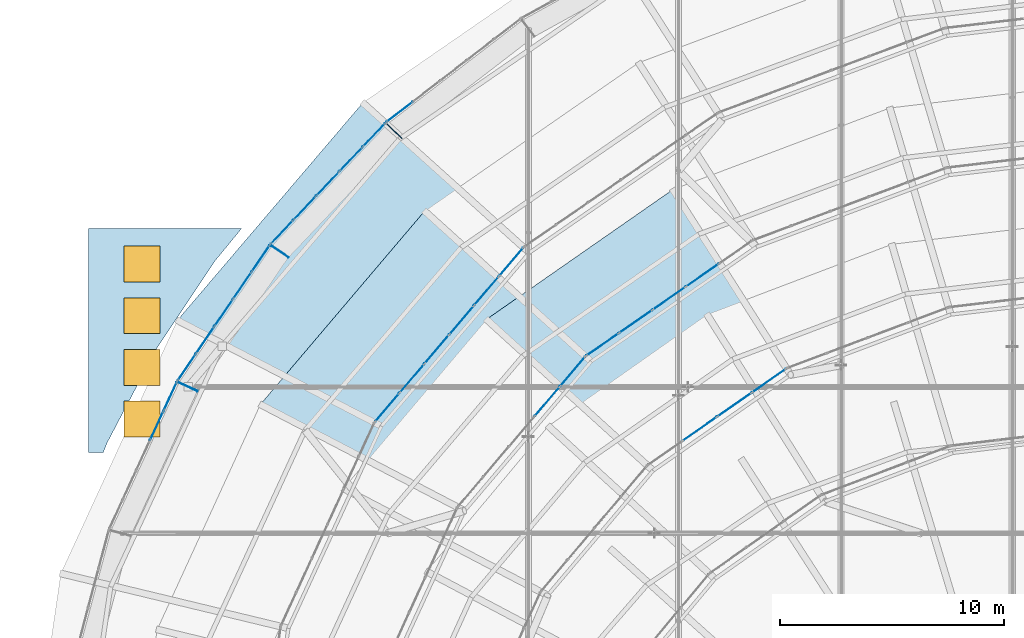
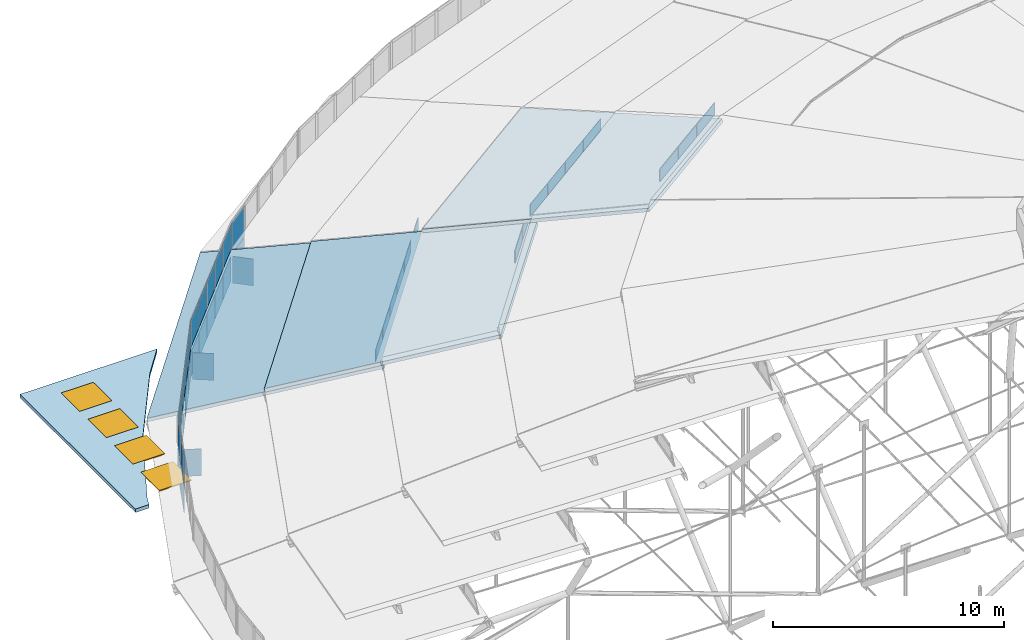
"""IFC4 building model written with IfcOpenShell, lengths in metres."""

import ifcopenshell
import ifcopenshell.guid

model = None  # the IFC model being written
_history = None  # IfcOwnerHistory: only IFC2X3 demands one
_inside = {}  # id of a spatial element -> (the spatial element, [elements in it])
_under = {}  # id of a project, library or spatial element -> (it, [spatial elements below it])
_declared = {}  # id of a project -> (the project, [libraries it declares])
_typed = {}  # id of a type object -> (the type object, [elements of that type])
_made_of = {}  # id of a material, layer set ... -> (it, [elements and type objects made of it])


def new_model(schema):
    """Start an empty IFC model of exactly this schema.

    Asked for "IFC4X3", IfcOpenShell would pick the latest addendum, in which some entities
    have other attributes; the version numbers below select the first issue.
    IFC2X3 requires an IfcOwnerHistory on every rooted entity: one is made here for all.
    """
    global model, _history
    if schema == "IFC4X3":
        model = ifcopenshell.file(schema_version=(4, 3, 0, 0))
    else:
        model = ifcopenshell.file(schema=schema)
    _inside.clear()
    _under.clear()
    _declared.clear()
    _typed.clear()
    _made_of.clear()
    _history = None
    if model.schema == "IFC2X3":
        org = make("IfcOrganization", Name="unknown")
        user = make(
            "IfcPersonAndOrganization",
            ThePerson=make("IfcPerson", FamilyName="unknown"),
            TheOrganization=org,
        )
        app = make(
            "IfcApplication",
            ApplicationDeveloper=org,
            Version="unknown",
            ApplicationFullName="unknown",
            ApplicationIdentifier="unknown",
        )
        _history = make(
            "IfcOwnerHistory",
            OwningUser=user,
            OwningApplication=app,
            ChangeAction="ADDED",
            CreationDate=0,
        )
    return model


def make(cls, **values):
    """One entity of the class cls with the attributes given. An attribute that is None is left unset."""
    return model.create_entity(
        cls, **{name: value for name, value in values.items() if value is not None}
    )


def rooted(cls, **values):
    """An entity with a GlobalId (a new one), such as an element, a storey or a relation."""
    return make(cls, GlobalId=ifcopenshell.guid.new(), OwnerHistory=_history, **values)


def si_unit(unit_type, name, prefix=None):
    """IfcSIUnit, for example si_unit("LENGTHUNIT", "METRE", prefix="MILLI")."""
    return make("IfcSIUnit", UnitType=unit_type, Prefix=prefix, Name=name)


def assignment(units):
    """IfcUnitAssignment: the units of a project."""
    return None if units is None else make("IfcUnitAssignment", Units=units)


def point(xyz):
    """IfcCartesianPoint."""
    return None if xyz is None else make("IfcCartesianPoint", Coordinates=xyz)


def direction(xyz):
    """IfcDirection."""
    return None if xyz is None else make("IfcDirection", DirectionRatios=xyz)


def frame(location, z_axis=None, x_axis=None):
    """IfcAxis2Placement3D, a coordinate frame: its origin and axes. An axis left out is left unset."""
    return make(
        "IfcAxis2Placement3D",
        Location=point(location),
        Axis=direction(z_axis),
        RefDirection=direction(x_axis),
    )


def frame_2d(location, x_axis=None):
    """IfcAxis2Placement2D, a coordinate frame in the plane: its origin and x axis."""
    return make(
        "IfcAxis2Placement2D", Location=point(location), RefDirection=direction(x_axis)
    )


def origin():
    """The frame at (0, 0, 0) with its axes left unset."""
    return frame((0.0, 0.0, 0.0))


def origin_2d():
    """The frame at (0, 0) in the plane with its x axis left unset."""
    return frame_2d((0.0, 0.0))


def place(relative_to, where):
    """IfcLocalPlacement: puts the frame where relative to a parent placement (None: the world)."""
    return make(
        "IfcLocalPlacement", PlacementRelTo=relative_to, RelativePlacement=where
    )


def context(
    kind, dimensions, precision=None, world=None, true_north=None, identifier=None
):
    """IfcGeometricRepresentationContext, for example the 3D "Model" context."""
    return make(
        "IfcGeometricRepresentationContext",
        ContextIdentifier=identifier,
        ContextType=kind,
        CoordinateSpaceDimension=dimensions,
        Precision=precision,
        WorldCoordinateSystem=world,
        TrueNorth=true_north,
    )


def subcontext(parent, identifier, kind, view, scale=None):
    """IfcGeometricRepresentationSubContext, for example "Body" below "Model"."""
    return make(
        "IfcGeometricRepresentationSubContext",
        ContextIdentifier=identifier,
        ContextType=kind,
        ParentContext=parent,
        TargetScale=scale,
        TargetView=view,
    )


def project(units=None, contexts=None):
    """IfcProject with its units and contexts."""
    return rooted(
        "IfcProject",
        Name="project",
        RepresentationContexts=contexts,
        UnitsInContext=assignment(units),
    )


def spatial(cls, under=None, at=None, **own):
    """A site, building, storey or space (cls), placed at a placement, below another one or the project."""
    s = rooted(cls, ObjectPlacement=at, **own)
    if under is not None:
        _under.setdefault(under.id(), (under, []))[1].append(s)
    return s


def polyline(points):
    """IfcPolyline through the points."""
    return make("IfcPolyline", Points=[point(p) for p in points])


def profile(cls, at=None, kind="AREA", **sizes):
    """A parametric profile (cls). Its sizes go by their IFC names, for example OverallWidth=200.0."""
    return make(cls, ProfileType=kind, Position=at, **sizes)


def rectangle(**sizes):
    """IfcRectangleProfileDef."""
    return profile("IfcRectangleProfileDef", **sizes)


def outline(outer, holes=None, kind="AREA"):
    """IfcArbitraryClosedProfileDef: a profile drawn as a closed curve; with holes, ...WithVoids."""
    if holes is None:
        return make("IfcArbitraryClosedProfileDef", ProfileType=kind, OuterCurve=outer)
    return make(
        "IfcArbitraryProfileDefWithVoids",
        ProfileType=kind,
        OuterCurve=outer,
        InnerCurves=holes,
    )


def extrude(swept, where, along, depth):
    """IfcExtrudedAreaSolid: the profile swept, set in the frame where, extruded along a direction by depth."""
    return make(
        "IfcExtrudedAreaSolid",
        SweptArea=swept,
        Position=where,
        ExtrudedDirection=direction(along),
        Depth=depth,
    )


def shape(context_of_items, identifier, shape_type, items):
    """IfcShapeRepresentation: the items that make up one representation, for example the "Body"."""
    return make(
        "IfcShapeRepresentation",
        ContextOfItems=context_of_items,
        RepresentationIdentifier=identifier,
        RepresentationType=shape_type,
        Items=items,
    )


def material(Name=None, Category=None):
    """IfcMaterial."""
    return make("IfcMaterial", Name=Name, Category=Category)


def layer(
    of_material, thickness, ventilated=None, Name=None, Category=None, Priority=None
):
    """IfcMaterialLayer: one layer of a wall or slab, of a material (None: an air gap)."""
    return make(
        "IfcMaterialLayer",
        Material=of_material,
        LayerThickness=thickness,
        IsVentilated=ventilated,
        Name=Name,
        Category=Category,
        Priority=Priority,
    )


def layer_set(layers, Name=None):
    """IfcMaterialLayerSet."""
    return make("IfcMaterialLayerSet", MaterialLayers=layers, LayerSetName=Name)


def made_of(thing, what):
    """Note that an element or type object is made of a material, layer set ...; save() writes the relation."""
    if what is not None:
        _made_of.setdefault(what.id(), (what, []))[1].append(thing)
    return thing


def type_object(cls, material=None, **own):
    """A type object (cls), such as IfcWallType, which elements share."""
    return made_of(rooted(cls, **own), material)


def element(
    cls,
    number,
    at=None,
    inside=None,
    cuts=None,
    type_object=None,
    material=None,
    context=None,
    identifier="Body",
    shape_type=None,
    held_by="IfcProductDefinitionShape",
    body=None,
    shapes=None,
    **own,
):
    """One element of the class cls, such as IfcWall. Its Tag is "e" and its number.

    at: its placement. inside: the storey or other place that contains it. cuts: it is an
    opening in that element (IfcRelVoidsElement). A single representation is given by context,
    identifier, shape_type and body (its items); several are given by shapes. held_by: the class
    of the entity that holds the representations. save() writes the other relations.
    """
    e = rooted(cls, Tag="e%d" % number, ObjectPlacement=at, **own)
    if body is not None:
        shapes = [shape(context, identifier, shape_type, body)]
    if shapes is not None:
        e.Representation = make(held_by, Representations=shapes)
    if inside is not None:
        _inside.setdefault(inside.id(), (inside, []))[1].append(e)
    if cuts is not None:
        rooted(
            "IfcRelVoidsElement", RelatingBuildingElement=cuts, RelatedOpeningElement=e
        )
    if type_object is not None:
        _typed.setdefault(type_object.id(), (type_object, []))[1].append(e)
    return made_of(e, material)


def fill(opening, filler):
    """IfcRelFillsElement: the door or window that sits in an opening."""
    return rooted(
        "IfcRelFillsElement",
        RelatingOpeningElement=opening,
        RelatedBuildingElement=filler,
    )


def aggregate(whole, parts):
    """IfcRelAggregates: a whole, such as a stair, and the parts it consists of."""
    return rooted("IfcRelAggregates", RelatingObject=whole, RelatedObjects=parts)


def save(model, path):
    """Write the relations noted so far, then the file.

    IfcRelAggregates (storeys below a building ...), IfcRelContainedInSpatialStructure (elements
    in a storey), IfcRelDefinesByType, IfcRelAssociatesMaterial and IfcRelDeclares: one each for
    every whole, place, type object, material and project.
    """
    for whole, parts in _under.values():
        aggregate(whole, parts)
    for where, things in _inside.values():
        rooted(
            "IfcRelContainedInSpatialStructure",
            RelatedElements=things,
            RelatingStructure=where,
        )
    for kind, things in _typed.values():
        rooted("IfcRelDefinesByType", RelatedObjects=things, RelatingType=kind)
    for what, things in _made_of.values():
        rooted("IfcRelAssociatesMaterial", RelatedObjects=things, RelatingMaterial=what)
    for by, libraries in _declared.values():
        rooted("IfcRelDeclares", RelatingContext=by, RelatedDefinitions=libraries)
    model.write(path)


model = new_model("IFC4")

# Units and contexts
model_context = context("Model", 3, precision=1e-05, world=origin(), true_north=direction((0.0, 1.0)))
body_context = subcontext(model_context, "Body", "Model", "MODEL_VIEW")
ifc_project = project(units=[si_unit("LENGTHUNIT", "METRE"), si_unit("AREAUNIT", "SQUARE_METRE"), si_unit("VOLUMEUNIT", "CUBIC_METRE"), si_unit("PLANEANGLEUNIT", "RADIAN"), si_unit("MASSUNIT", "GRAM", prefix="KILO")], contexts=[model_context])

# Site, building, storey
site_placement = place(None, origin())
site = spatial("IfcSite", under=ifc_project, at=site_placement, CompositionType="ELEMENT")
building_placement = place(site_placement, origin())
building = spatial("IfcBuilding", under=site, at=building_placement, Name="Glasvene Arena", CompositionType="ELEMENT")
storey_1_placement = place(building_placement, frame((0.0, 0.0, 28.800048828125)))
storey_1 = spatial("IfcBuildingStorey", under=building, at=storey_1_placement, Name="RF", CompositionType="ELEMENT", Elevation=28.800048828125)

# Curtain wall, plates
ifc_material_1 = material(Name="Low-emissivity laminated double glazing", Category="glass")
curtain_wall_type_1 = type_object("IfcCurtainWallType", Name="CW-PET1-1026x75", PredefinedType="USERDEFINED", material=ifc_material_1)
curtain_wall_1_placement = place(storey_1_placement, frame((62.40771484375, 99.657958984375, 0.0)))
curtain_wall_1 = element("IfcCurtainWall", 1, at=curtain_wall_1_placement, inside=storey_1, type_object=curtain_wall_type_1, Name="Petal ring 1-2 clerestory curtain wall 10", ObjectType="CURTAIN WALL", PredefinedType="USERDEFINED")
ifc_layer_1 = layer(ifc_material_1, 0.028076171875)
ifc_layer_set_1 = layer_set([ifc_layer_1], Name="Low-emissivity laminated double glazing")
plate_type_1 = type_object("IfcPlateType", Name="CW-GLZ-28", PredefinedType="CURTAIN_PANEL", material=ifc_layer_set_1)
plate_1_placement = place(storey_1_placement, frame((61.84521484375, 98.997802734375, 2.6298828125), z_axis=(0.0, 0.0, 1.0), x_axis=(-0.648445320272, -0.761261234149, 0.0)))
plate_1 = element("IfcPlate", 2, at=plate_1_placement, type_object=plate_type_1, Name="CW-083 panel 1.1", PredefinedType="CURTAIN_PANEL", context=body_context, shape_type="SweptSolid", body=[
    extrude(rectangle(XDim=1.634521484375, YDim=0.028076171875, at=origin_2d()), origin(), (0.0, 0.0, 1.0), 0.64990234375),
])
plate_2_placement = place(storey_1_placement, frame((60.744873046875, 97.705810546875, 2.6298828125), z_axis=(0.0, 0.0, 1.0), x_axis=(-0.648445320272, -0.761261234149, 0.0)))
plate_2 = element("IfcPlate", 3, at=plate_2_placement, type_object=plate_type_1, Name="CW-083 panel 2.1", PredefinedType="CURTAIN_PANEL", context=body_context, shape_type="SweptSolid", body=[
    extrude(rectangle(XDim=1.659423828125, YDim=0.028076171875, at=origin_2d()), origin(), (0.0, 0.0, 1.0), 0.64990234375),
])
plate_3_placement = place(storey_1_placement, frame((59.636474609375, 96.404541015625, 2.6298828125), z_axis=(0.0, 0.0, 1.0), x_axis=(-0.648445320272, -0.761261234149, 0.0)))
plate_3 = element("IfcPlate", 4, at=plate_3_placement, type_object=plate_type_1, Name="CW-083 panel 3.1", PredefinedType="CURTAIN_PANEL", context=body_context, shape_type="SweptSolid", body=[
    extrude(rectangle(XDim=1.659423828125, YDim=0.028076171875, at=origin_2d()), origin(), (0.0, 0.0, 1.0), 0.64990234375),
])
plate_4_placement = place(storey_1_placement, frame((58.528076171875, 95.103271484375, 2.6298828125), z_axis=(0.0, 0.0, 1.0), x_axis=(-0.648445320272, -0.761261234149, 0.0)))
plate_4 = element("IfcPlate", 5, at=plate_4_placement, type_object=plate_type_1, Name="CW-083 panel 4.1", PredefinedType="CURTAIN_PANEL", context=body_context, shape_type="SweptSolid", body=[
    extrude(rectangle(XDim=1.659423828125, YDim=0.028076171875, at=origin_2d()), origin(), (0.0, 0.0, 1.0), 0.64990234375),
])
plate_5_placement = place(storey_1_placement, frame((57.41943359375, 93.802001953125, 2.6298828125), z_axis=(0.0, 0.0, 1.0), x_axis=(-0.648445320272, -0.761261234149, 0.0)))
plate_5 = element("IfcPlate", 6, at=plate_5_placement, type_object=plate_type_1, Name="CW-083 panel 5.1", PredefinedType="CURTAIN_PANEL", context=body_context, shape_type="SweptSolid", body=[
    extrude(rectangle(XDim=1.659423828125, YDim=0.028076171875, at=origin_2d()), origin(), (0.0, 0.0, 1.0), 0.64990234375),
])
plate_6_placement = place(storey_1_placement, frame((56.319091796875, 92.51025390625, 2.6298828125), z_axis=(0.0, 0.0, 1.0), x_axis=(-0.648445320272, -0.761261234149, 0.0)))
plate_6 = element("IfcPlate", 7, at=plate_6_placement, type_object=plate_type_1, Name="CW-083 panel 6.1", PredefinedType="CURTAIN_PANEL", context=body_context, shape_type="SweptSolid", body=[
    extrude(rectangle(XDim=1.634521484375, YDim=0.028076171875, at=origin_2d()), origin(), (0.0, 0.0, 1.0), 0.64990234375),
])
aggregate(curtain_wall_1, [plate_1, plate_2, plate_3, plate_4, plate_5, plate_6])

curtain_wall_type_2 = type_object("IfcCurtainWallType", Name="CW-PET2-905x75", PredefinedType="USERDEFINED", material=ifc_material_1)
curtain_wall_2_placement = place(storey_1_placement, frame((72.60009765625, 99.952392578125, 0.0)))
curtain_wall_2 = element("IfcCurtainWall", 8, at=curtain_wall_2_placement, inside=storey_1, type_object=curtain_wall_type_2, Name="Petal ring 2-3 clerestory curtain wall 09", ObjectType="CURTAIN WALL", PredefinedType="USERDEFINED")
plate_7_placement = place(storey_1_placement, frame((70.369384765625, 98.405517578125, 5.22998046875), z_axis=(0.0, 0.0, 1.0), x_axis=(-0.821699335018, -0.569921225109, 0.0)))
plate_7 = element("IfcPlate", 9, at=plate_7_placement, type_object=plate_type_1, Name="CW-090 panel 2.1", PredefinedType="CURTAIN_PANEL", context=body_context, shape_type="SweptSolid", body=[
    extrude(rectangle(XDim=1.759765625, YDim=0.028076171875, at=origin_2d()), origin(), (0.0, 0.0, 1.0), 0.64990234375),
])
plate_8_placement = place(storey_1_placement, frame((68.882568359375, 97.3740234375, 5.22998046875), z_axis=(0.0, 0.0, 1.0), x_axis=(-0.821699335018, -0.569921225109, 0.0)))
plate_8 = element("IfcPlate", 10, at=plate_8_placement, type_object=plate_type_1, Name="CW-090 panel 3.1", PredefinedType="CURTAIN_PANEL", context=body_context, shape_type="SweptSolid", body=[
    extrude(rectangle(XDim=1.759765625, YDim=0.028076171875, at=origin_2d()), origin(), (0.0, 0.0, 1.0), 0.64990234375),
])
plate_9_placement = place(storey_1_placement, frame((67.3955078125, 96.3427734375, 5.22998046875), z_axis=(0.0, 0.0, 1.0), x_axis=(-0.821699335018, -0.569921225109, 0.0)))
plate_9 = element("IfcPlate", 11, at=plate_9_placement, type_object=plate_type_1, Name="CW-090 panel 4.1", PredefinedType="CURTAIN_PANEL", context=body_context, shape_type="SweptSolid", body=[
    extrude(rectangle(XDim=1.759765625, YDim=0.028076171875, at=origin_2d()), origin(), (0.0, 0.0, 1.0), 0.64990234375),
])
plate_10_placement = place(storey_1_placement, frame((65.918701171875, 95.318359375, 5.22998046875), z_axis=(0.0, 0.0, 1.0), x_axis=(-0.821699335018, -0.569921225109, 0.0)))
plate_10 = element("IfcPlate", 12, at=plate_10_placement, type_object=plate_type_1, Name="CW-090 panel 5.1", PredefinedType="CURTAIN_PANEL", context=body_context, shape_type="SweptSolid", body=[
    extrude(rectangle(XDim=1.734619140625, YDim=0.028076171875, at=origin_2d()), origin(), (0.0, 0.0, 1.0), 0.64990234375),
])
aggregate(curtain_wall_2, [plate_7, plate_8, plate_9, plate_10])

curtain_wall_type_3 = type_object("IfcCurtainWallType", Name="CW-PET2-882x75", PredefinedType="USERDEFINED", material=ifc_material_1)
curtain_wall_3_placement = place(storey_1_placement, frame((65.164794921875, 94.795654296875, 0.0)))
curtain_wall_3 = element("IfcCurtainWall", 13, at=curtain_wall_3_placement, inside=storey_1, type_object=curtain_wall_type_3, Name="Petal ring 2-3 clerestory curtain wall 10", ObjectType="CURTAIN WALL", PredefinedType="USERDEFINED")
plate_11_placement = place(storey_1_placement, frame((64.586181640625, 94.114013671875, 5.22998046875), z_axis=(0.0, 0.0, 1.0), x_axis=(-0.647166893632, -0.762348353305, 0.0)))
plate_11 = element("IfcPlate", 14, at=plate_11_placement, type_object=plate_type_1, Name="CW-089 panel 1.1", PredefinedType="CURTAIN_PANEL", context=body_context, shape_type="SweptSolid", body=[
    extrude(rectangle(XDim=1.688232421875, YDim=0.028076171875, at=origin_2d()), origin(), (0.0, 0.0, 1.0), 0.64990234375),
])
plate_12_placement = place(storey_1_placement, frame((63.453369140625, 92.779541015625, 5.22998046875), z_axis=(0.0, 0.0, 1.0), x_axis=(-0.647166893632, -0.762348353305, 0.0)))
plate_12 = element("IfcPlate", 15, at=plate_12_placement, type_object=plate_type_1, Name="CW-089 panel 2.1", PredefinedType="CURTAIN_PANEL", context=body_context, shape_type="SweptSolid", body=[
    extrude(rectangle(XDim=1.713134765625, YDim=0.028076171875, at=origin_2d()), origin(), (0.0, 0.0, 1.0), 0.64990234375),
])
aggregate(curtain_wall_3, [plate_11, plate_12])

curtain_wall_type_4 = type_object("IfcCurtainWallType", Name="CW-PET3-756x75", PredefinedType="USERDEFINED", material=ifc_material_1)
curtain_wall_4_placement = place(storey_1_placement, frame((74.125, 94.255859375, 0.0)))
curtain_wall_4 = element("IfcCurtainWall", 16, at=curtain_wall_4_placement, inside=storey_1, type_object=curtain_wall_type_4, Name="Petal ring 3-4 clerestory curtain wall 09", ObjectType="CURTAIN WALL", PredefinedType="USERDEFINED")
plate_13_placement = place(storey_1_placement, frame((73.33935546875, 93.70849609375, 7.8798828125), z_axis=(0.0, 0.0, 1.0), x_axis=(-0.82043313701, -0.571742483725, 0.0)))
plate_13 = element("IfcPlate", 17, at=plate_13_placement, type_object=plate_type_1, Name="CW-096 panel 1.1", PredefinedType="CURTAIN_PANEL", context=body_context, shape_type="SweptSolid", body=[
    extrude(rectangle(XDim=1.815185546875, YDim=0.028076171875, at=origin_2d()), origin(), (0.0, 0.0, 1.0), 0.64990234375),
])
plate_14_placement = place(storey_1_placement, frame((71.798828125, 92.635009765625, 7.8798828125), z_axis=(0.0, 0.0, 1.0), x_axis=(-0.82043313701, -0.571742483725, 0.0)))
plate_14 = element("IfcPlate", 18, at=plate_14_placement, type_object=plate_type_1, Name="CW-096 panel 2.1", PredefinedType="CURTAIN_PANEL", context=body_context, shape_type="SweptSolid", body=[
    extrude(rectangle(XDim=1.840087890625, YDim=0.028076171875, at=origin_2d()), origin(), (0.0, 0.0, 1.0), 0.64990234375),
])
plate_15_placement = place(storey_1_placement, frame((70.248291015625, 91.55419921875, 7.8798828125), z_axis=(0.0, 0.0, 1.0), x_axis=(-0.82043313701, -0.571742483725, 0.0)))
plate_15 = element("IfcPlate", 19, at=plate_15_placement, type_object=plate_type_1, Name="CW-096 panel 3.1", PredefinedType="CURTAIN_PANEL", context=body_context, shape_type="SweptSolid", body=[
    extrude(rectangle(XDim=1.840087890625, YDim=0.028076171875, at=origin_2d()), origin(), (0.0, 0.0, 1.0), 0.64990234375),
])
aggregate(curtain_wall_4, [plate_13, plate_14, plate_15])

curtain_wall_type_5 = type_object("IfcCurtainWallType", Name="CW-DRUM-761x310", PredefinedType="USERDEFINED", material=ifc_material_1)
curtain_wall_5_placement = place(storey_1_placement, frame((62.28759765625, 109.8505859375, 0.0)))
curtain_wall_5 = element("IfcCurtainWall", 20, at=curtain_wall_5_placement, inside=storey_1, type_object=curtain_wall_type_5, Name="Crown compression-ring fascia curtain wall 15", ObjectType="CURTAIN WALL", PredefinedType="USERDEFINED")
ifc_material_2 = material(Name="Insulated shadow-box spandrel panel")
ifc_layer_2 = layer(ifc_material_2, 0.02392578125)
ifc_layer_set_2 = layer_set([ifc_layer_2], Name="Insulated shadow-box spandrel panel")
plate_type_2 = type_object("IfcPlateType", Name="CW-SPN-24", PredefinedType="CURTAIN_PANEL", material=ifc_layer_set_2)
plate_16_placement = place(storey_1_placement, frame((56.868896484375, 105.680419921875, -1.330078125), z_axis=(0.0, 0.0, 1.0), x_axis=(-0.792482324569, -0.609894880488, 0.0)))
plate_16 = element("IfcPlate", 21, at=plate_16_placement, type_object=plate_type_2, Name="CW-076 panel 5.1", PredefinedType="CURTAIN_PANEL", context=body_context, shape_type="SweptSolid", body=[
    extrude(rectangle(XDim=1.447265625, YDim=0.02392578125, at=origin_2d()), origin(), (0.0, 0.0, 1.0), 1.324951171875),
])
plate_17_placement = place(storey_1_placement, frame((56.868896484375, 105.680419921875, 0.044921875), z_axis=(0.0, 0.0, 1.0), x_axis=(-0.792482324569, -0.609894880488, 0.0)))
plate_17 = element("IfcPlate", 22, at=plate_17_placement, type_object=plate_type_2, Name="CW-076 panel 5.2", PredefinedType="CURTAIN_PANEL", context=body_context, shape_type="SweptSolid", body=[
    extrude(rectangle(XDim=1.447265625, YDim=0.02392578125, at=origin_2d()), origin(), (0.0, 0.0, 1.0), 1.625),
])
aggregate(curtain_wall_5, [plate_16, plate_17])

curtain_wall_type_6 = type_object("IfcCurtainWallType", Name="CW-DRUM-749x310", PredefinedType="USERDEFINED", material=ifc_material_1)
curtain_wall_6_placement = place(storey_1_placement, frame((56.255859375, 105.208740234375, 0.0)))
curtain_wall_6 = element("IfcCurtainWall", 23, at=curtain_wall_6_placement, inside=storey_1, type_object=curtain_wall_type_6, Name="Crown compression-ring fascia curtain wall 16", ObjectType="CURTAIN WALL", PredefinedType="USERDEFINED")
plate_18_placement = place(storey_1_placement, frame((55.73193359375, 104.656005859375, -1.330078125), z_axis=(0.0, 0.0, 1.0), x_axis=(-0.687924637344, -0.725782125252, 0.0)))
plate_18 = element("IfcPlate", 24, at=plate_18_placement, type_object=plate_type_2, Name="CW-075 panel 1.1", PredefinedType="CURTAIN_PANEL", context=body_context, shape_type="SweptSolid", body=[
    extrude(rectangle(XDim=1.422607421875, YDim=0.02392578125, at=origin_2d()), origin(), (0.0, 0.0, 1.0), 1.324951171875),
])
plate_19_placement = place(storey_1_placement, frame((55.73193359375, 104.656005859375, 0.044921875), z_axis=(0.0, 0.0, 1.0), x_axis=(-0.687924637344, -0.725782125252, 0.0)))
plate_19 = element("IfcPlate", 25, at=plate_19_placement, type_object=plate_type_2, Name="CW-075 panel 1.2", PredefinedType="CURTAIN_PANEL", context=body_context, shape_type="SweptSolid", body=[
    extrude(rectangle(XDim=1.422607421875, YDim=0.02392578125, at=origin_2d()), origin(), (0.0, 0.0, 1.0), 1.625),
])
plate_20_placement = place(storey_1_placement, frame((54.710205078125, 103.578125, -1.330078125), z_axis=(0.0, 0.0, 1.0), x_axis=(-0.687924637344, -0.725782125252, 0.0)))
plate_20 = element("IfcPlate", 26, at=plate_20_placement, type_object=plate_type_2, Name="CW-075 panel 2.1", PredefinedType="CURTAIN_PANEL", context=body_context, shape_type="SweptSolid", body=[
    extrude(rectangle(XDim=1.44775390625, YDim=0.02392578125, at=origin_2d()), origin(), (0.0, 0.0, 1.0), 1.324951171875),
])
plate_21_placement = place(storey_1_placement, frame((54.710205078125, 103.578125, 0.044921875), z_axis=(0.0, 0.0, 1.0), x_axis=(-0.687924637344, -0.725782125252, 0.0)))
plate_21 = element("IfcPlate", 27, at=plate_21_placement, type_object=plate_type_2, Name="CW-075 panel 2.2", PredefinedType="CURTAIN_PANEL", context=body_context, shape_type="SweptSolid", body=[
    extrude(rectangle(XDim=1.44775390625, YDim=0.02392578125, at=origin_2d()), origin(), (0.0, 0.0, 1.0), 1.625),
])
plate_22_placement = place(storey_1_placement, frame((53.679931640625, 102.4912109375, -1.330078125), z_axis=(0.0, 0.0, 1.0), x_axis=(-0.687924637344, -0.725782125252, 0.0)))
plate_22 = element("IfcPlate", 28, at=plate_22_placement, type_object=plate_type_2, Name="CW-075 panel 3.1", PredefinedType="CURTAIN_PANEL", context=body_context, shape_type="SweptSolid", body=[
    extrude(rectangle(XDim=1.44775390625, YDim=0.02392578125, at=origin_2d()), origin(), (0.0, 0.0, 1.0), 1.324951171875),
])
plate_23_placement = place(storey_1_placement, frame((53.679931640625, 102.4912109375, 0.044921875), z_axis=(0.0, 0.0, 1.0), x_axis=(-0.687924637344, -0.725782125252, 0.0)))
plate_23 = element("IfcPlate", 29, at=plate_23_placement, type_object=plate_type_2, Name="CW-075 panel 3.2", PredefinedType="CURTAIN_PANEL", context=body_context, shape_type="SweptSolid", body=[
    extrude(rectangle(XDim=1.44775390625, YDim=0.02392578125, at=origin_2d()), origin(), (0.0, 0.0, 1.0), 1.625),
])
plate_24_placement = place(storey_1_placement, frame((52.649658203125, 101.404052734375, -1.330078125), z_axis=(0.0, 0.0, 1.0), x_axis=(-0.687924637344, -0.725782125252, 0.0)))
plate_24 = element("IfcPlate", 30, at=plate_24_placement, type_object=plate_type_2, Name="CW-075 panel 4.1", PredefinedType="CURTAIN_PANEL", context=body_context, shape_type="SweptSolid", body=[
    extrude(rectangle(XDim=1.44775390625, YDim=0.02392578125, at=origin_2d()), origin(), (0.0, 0.0, 1.0), 1.324951171875),
])
plate_25_placement = place(storey_1_placement, frame((52.649658203125, 101.404052734375, 0.044921875), z_axis=(0.0, 0.0, 1.0), x_axis=(-0.687924637344, -0.725782125252, 0.0)))
plate_25 = element("IfcPlate", 31, at=plate_25_placement, type_object=plate_type_2, Name="CW-075 panel 4.2", PredefinedType="CURTAIN_PANEL", context=body_context, shape_type="SweptSolid", body=[
    extrude(rectangle(XDim=1.44775390625, YDim=0.02392578125, at=origin_2d()), origin(), (0.0, 0.0, 1.0), 1.625),
])
plate_26_placement = place(storey_1_placement, frame((51.6279296875, 100.326171875, -1.330078125), z_axis=(0.0, 0.0, 1.0), x_axis=(-0.687924637344, -0.725782125252, 0.0)))
plate_26 = element("IfcPlate", 32, at=plate_26_placement, type_object=plate_type_2, Name="CW-075 panel 5.1", PredefinedType="CURTAIN_PANEL", context=body_context, shape_type="SweptSolid", body=[
    extrude(rectangle(XDim=1.422607421875, YDim=0.02392578125, at=origin_2d()), origin(), (0.0, 0.0, 1.0), 1.324951171875),
])
plate_27_placement = place(storey_1_placement, frame((51.6279296875, 100.326171875, 0.044921875), z_axis=(0.0, 0.0, 1.0), x_axis=(-0.687924637344, -0.725782125252, 0.0)))
plate_27 = element("IfcPlate", 33, at=plate_27_placement, type_object=plate_type_2, Name="CW-075 panel 5.2", PredefinedType="CURTAIN_PANEL", context=body_context, shape_type="SweptSolid", body=[
    extrude(rectangle(XDim=1.422607421875, YDim=0.02392578125, at=origin_2d()), origin(), (0.0, 0.0, 1.0), 1.625),
])
aggregate(curtain_wall_6, [plate_18, plate_19, plate_20, plate_21, plate_22, plate_23, plate_24, plate_25, plate_26, plate_27])

curtain_wall_type_7 = type_object("IfcCurtainWallType", Name="CW-DRUM-737x310", PredefinedType="USERDEFINED", material=ifc_material_1)
curtain_wall_7_placement = place(storey_1_placement, frame((51.104248046875, 99.773681640625, 0.0)))
curtain_wall_7 = element("IfcCurtainWall", 34, at=curtain_wall_7_placement, inside=storey_1, type_object=curtain_wall_type_7, Name="Crown compression-ring fascia curtain wall 17", ObjectType="CURTAIN WALL", PredefinedType="USERDEFINED")
plate_28_placement = place(storey_1_placement, frame((50.6826171875, 99.15380859375, -1.330078125), z_axis=(0.0, 0.0, 1.0), x_axis=(-0.56235418457, -0.826896469394, 0.0)))
plate_28 = element("IfcPlate", 35, at=plate_28_placement, type_object=plate_type_2, Name="CW-074 panel 1.1", PredefinedType="CURTAIN_PANEL", context=body_context, shape_type="SweptSolid", body=[
    extrude(rectangle(XDim=1.39892578125, YDim=0.02392578125, at=origin_2d()), origin(), (0.0, 0.0, 1.0), 1.324951171875),
])
plate_29_placement = place(storey_1_placement, frame((50.6826171875, 99.15380859375, 0.044921875), z_axis=(0.0, 0.0, 1.0), x_axis=(-0.56235418457, -0.826896469394, 0.0)))
plate_29 = element("IfcPlate", 36, at=plate_29_placement, type_object=plate_type_2, Name="CW-074 panel 1.2", PredefinedType="CURTAIN_PANEL", context=body_context, shape_type="SweptSolid", body=[
    extrude(rectangle(XDim=1.39892578125, YDim=0.02392578125, at=origin_2d()), origin(), (0.0, 0.0, 1.0), 1.625),
])
plate_30_placement = place(storey_1_placement, frame((49.86083984375, 97.9453125, -1.330078125), z_axis=(0.0, 0.0, 1.0), x_axis=(-0.56235418457, -0.826896469394, 0.0)))
plate_30 = element("IfcPlate", 37, at=plate_30_placement, type_object=plate_type_2, Name="CW-074 panel 2.1", PredefinedType="CURTAIN_PANEL", context=body_context, shape_type="SweptSolid", body=[
    extrude(rectangle(XDim=1.424072265625, YDim=0.02392578125, at=origin_2d()), origin(), (0.0, 0.0, 1.0), 1.324951171875),
])
plate_31_placement = place(storey_1_placement, frame((49.86083984375, 97.9453125, 0.044921875), z_axis=(0.0, 0.0, 1.0), x_axis=(-0.56235418457, -0.826896469394, 0.0)))
plate_31 = element("IfcPlate", 38, at=plate_31_placement, type_object=plate_type_2, Name="CW-074 panel 2.2", PredefinedType="CURTAIN_PANEL", context=body_context, shape_type="SweptSolid", body=[
    extrude(rectangle(XDim=1.424072265625, YDim=0.02392578125, at=origin_2d()), origin(), (0.0, 0.0, 1.0), 1.625),
])
plate_32_placement = place(storey_1_placement, frame((49.031982421875, 96.7265625, -1.330078125), z_axis=(0.0, 0.0, 1.0), x_axis=(-0.56235418457, -0.826896469394, 0.0)))
plate_32 = element("IfcPlate", 39, at=plate_32_placement, type_object=plate_type_2, Name="CW-074 panel 3.1", PredefinedType="CURTAIN_PANEL", context=body_context, shape_type="SweptSolid", body=[
    extrude(rectangle(XDim=1.424072265625, YDim=0.02392578125, at=origin_2d()), origin(), (0.0, 0.0, 1.0), 1.324951171875),
])
plate_33_placement = place(storey_1_placement, frame((49.031982421875, 96.7265625, 0.044921875), z_axis=(0.0, 0.0, 1.0), x_axis=(-0.56235418457, -0.826896469394, 0.0)))
plate_33 = element("IfcPlate", 40, at=plate_33_placement, type_object=plate_type_2, Name="CW-074 panel 3.2", PredefinedType="CURTAIN_PANEL", context=body_context, shape_type="SweptSolid", body=[
    extrude(rectangle(XDim=1.424072265625, YDim=0.02392578125, at=origin_2d()), origin(), (0.0, 0.0, 1.0), 1.625),
])
plate_34_placement = place(storey_1_placement, frame((48.202880859375, 95.507568359375, -1.330078125), z_axis=(0.0, 0.0, 1.0), x_axis=(-0.56235418457, -0.826896469394, 0.0)))
plate_34 = element("IfcPlate", 41, at=plate_34_placement, type_object=plate_type_2, Name="CW-074 panel 4.1", PredefinedType="CURTAIN_PANEL", context=body_context, shape_type="SweptSolid", body=[
    extrude(rectangle(XDim=1.424072265625, YDim=0.02392578125, at=origin_2d()), origin(), (0.0, 0.0, 1.0), 1.324951171875),
])
plate_35_placement = place(storey_1_placement, frame((48.202880859375, 95.507568359375, 0.044921875), z_axis=(0.0, 0.0, 1.0), x_axis=(-0.56235418457, -0.826896469394, 0.0)))
plate_35 = element("IfcPlate", 42, at=plate_35_placement, type_object=plate_type_2, Name="CW-074 panel 4.2", PredefinedType="CURTAIN_PANEL", context=body_context, shape_type="SweptSolid", body=[
    extrude(rectangle(XDim=1.424072265625, YDim=0.02392578125, at=origin_2d()), origin(), (0.0, 0.0, 1.0), 1.625),
])
plate_36_placement = place(storey_1_placement, frame((47.381103515625, 94.299072265625, -1.330078125), z_axis=(0.0, 0.0, 1.0), x_axis=(-0.56235418457, -0.826896469394, 0.0)))
plate_36 = element("IfcPlate", 43, at=plate_36_placement, type_object=plate_type_2, Name="CW-074 panel 5.1", PredefinedType="CURTAIN_PANEL", context=body_context, shape_type="SweptSolid", body=[
    extrude(rectangle(XDim=1.39892578125, YDim=0.02392578125, at=origin_2d()), origin(), (0.0, 0.0, 1.0), 1.324951171875),
])
plate_37_placement = place(storey_1_placement, frame((47.381103515625, 94.299072265625, 0.044921875), z_axis=(0.0, 0.0, 1.0), x_axis=(-0.56235418457, -0.826896469394, 0.0)))
plate_37 = element("IfcPlate", 44, at=plate_37_placement, type_object=plate_type_2, Name="CW-074 panel 5.2", PredefinedType="CURTAIN_PANEL", context=body_context, shape_type="SweptSolid", body=[
    extrude(rectangle(XDim=1.39892578125, YDim=0.02392578125, at=origin_2d()), origin(), (0.0, 0.0, 1.0), 1.625),
])
aggregate(curtain_wall_7, [plate_28, plate_29, plate_30, plate_31, plate_32, plate_33, plate_34, plate_35, plate_36, plate_37])

curtain_wall_type_8 = type_object("IfcCurtainWallType", Name="CW-DRUM-727x310", PredefinedType="USERDEFINED", material=ifc_material_1)
curtain_wall_8_placement = place(storey_1_placement, frame((46.959716796875, 93.67919921875, 0.0)))
curtain_wall_8 = element("IfcCurtainWall", 45, at=curtain_wall_8_placement, inside=storey_1, type_object=curtain_wall_type_8, Name="Crown compression-ring fascia curtain wall 18", ObjectType="CURTAIN WALL", PredefinedType="USERDEFINED")
plate_38_placement = place(storey_1_placement, frame((46.65087890625, 93.007568359375, -1.330078125), z_axis=(0.0, 0.0, 1.0), x_axis=(-0.417660752738, -0.908603046232, 0.0)))
plate_38 = element("IfcPlate", 46, at=plate_38_placement, type_object=plate_type_2, Name="CW-073 panel 1.1", PredefinedType="CURTAIN_PANEL", context=body_context, shape_type="SweptSolid", body=[
    extrude(rectangle(XDim=1.378662109375, YDim=0.02392578125, at=origin_2d()), origin(), (0.0, 0.0, 1.0), 1.324951171875),
])
plate_39_placement = place(storey_1_placement, frame((46.65087890625, 93.007568359375, 0.044921875), z_axis=(0.0, 0.0, 1.0), x_axis=(-0.417660752738, -0.908603046232, 0.0)))
plate_39 = element("IfcPlate", 47, at=plate_39_placement, type_object=plate_type_2, Name="CW-073 panel 1.2", PredefinedType="CURTAIN_PANEL", context=body_context, shape_type="SweptSolid", body=[
    extrude(rectangle(XDim=1.378662109375, YDim=0.02392578125, at=origin_2d()), origin(), (0.0, 0.0, 1.0), 1.625),
])
plate_40_placement = place(storey_1_placement, frame((46.048828125, 91.6982421875, -1.330078125), z_axis=(0.0, 0.0, 1.0), x_axis=(-0.417660752738, -0.908603046232, 0.0)))
plate_40 = element("IfcPlate", 48, at=plate_40_placement, type_object=plate_type_2, Name="CW-073 panel 2.1", PredefinedType="CURTAIN_PANEL", context=body_context, shape_type="SweptSolid", body=[
    extrude(rectangle(XDim=1.403564453125, YDim=0.02392578125, at=origin_2d()), origin(), (0.0, 0.0, 1.0), 1.324951171875),
])
plate_41_placement = place(storey_1_placement, frame((46.048828125, 91.6982421875, 0.044921875), z_axis=(0.0, 0.0, 1.0), x_axis=(-0.417660752738, -0.908603046232, 0.0)))
plate_41 = element("IfcPlate", 49, at=plate_41_placement, type_object=plate_type_2, Name="CW-073 panel 2.2", PredefinedType="CURTAIN_PANEL", context=body_context, shape_type="SweptSolid", body=[
    extrude(rectangle(XDim=1.403564453125, YDim=0.02392578125, at=origin_2d()), origin(), (0.0, 0.0, 1.0), 1.625),
])
aggregate(curtain_wall_8, [plate_38, plate_39, plate_40, plate_41])

# Plates
ifc_material_3 = material(Name="Steel S355J2", Category="steel")
ifc_layer_3 = layer(ifc_material_3, 0.035888671875)
ifc_layer_set_3 = layer_set([ifc_layer_3], Name="Steel S355J2")
plate_type_3 = type_object("IfcPlateType", Name="PL-CAP-36", PredefinedType="SHEET", material=ifc_layer_set_3)
for number, where, z_axis, x_axis, name in (
    (50, (56.644775390625, 104.81982421875, -1.409912109375), (0.0, 0.0, 1.0), (-0.688354575694, -0.725374371012, 0.0), "Ring beam node diaphragm cap plate ND-16"),
    (51, (51.54931640625, 99.4501953125, -1.409912109375), (0.0, 0.0, 1.0), (-0.562804927695, -0.826589749127, 0.0), "Ring beam node diaphragm cap plate ND-17"),
    (52, (47.44970703125, 93.4296875, -1.409912109375), (0.0, 0.0, 1.0), (-0.418025632026, -0.908435232127, 0.0), "Ring beam node diaphragm cap plate ND-18"),
):
    element("IfcPlate", number, at=place(storey_1_placement, frame(where, z_axis=z_axis, x_axis=x_axis)), inside=storey_1, type_object=plate_type_3, Name=name, PredefinedType="SHEET", context=body_context, shape_type="SweptSolid", body=[
        extrude(rectangle(XDim=0.035888671875, YDim=0.919921875, at=origin_2d()), origin(), (0.0, 0.0, 1.0), 1.419921875),
    ])

# Roof, slab
ifc_material_4 = material(Name="Smooth matte white insulated roof panel")
ifc_layer_4 = layer(ifc_material_4, 0.179931640625)
ifc_layer_set_4 = layer_set([ifc_layer_4], Name="Smooth matte white insulated roof panel")
roof_type = type_object("IfcRoofType", Name="RF-PETAL-ASSY", PredefinedType="PAVILION_ROOF", material=ifc_layer_set_4)
roof_1_placement = place(storey_1_placement, frame((92.0, 73.0, 0.0)))
roof_1 = element("IfcRoof", 53, at=roof_1_placement, inside=storey_1, type_object=roof_type, Name="Shifted white elliptical petal roof ring 1", PredefinedType="PAVILION_ROOF")
ifc_material_5 = material(Name="Precast concrete C50/60", Category="concrete")
ifc_layer_5 = layer(ifc_material_5, 0.179931640625)
ifc_layer_set_5 = layer_set([ifc_layer_5], Name="Precast concrete C50/60")
slab_type = type_object("IfcSlabType", Name="SL-PETAL-180", PredefinedType="ROOF", material=ifc_layer_set_5)
slab_1_placement = place(storey_1_placement, frame((55.23046875, 106.092529296875, 0.0), z_axis=(-0.184821301548, 0.157573849317, 0.970057507834), x_axis=(-0.64878442939, -0.760972249285, 1.48321e-07)))
slab_1 = element("IfcSlab", 54, at=slab_1_placement, type_object=slab_type, Name="White petal roof slab ring 1 bay 10", PredefinedType="ROOF", context=body_context, shape_type="SweptSolid", body=[
    extrude(outline(polyline([(0.0, 0.0), (12.737161776082907, 0.0), (10.433077938721475, 10.293339939019024), (0.26797575672896645, 10.293353925118693), (0.0, 0.0)])), origin(), (0.0, 0.0, -1.0), 0.179931640625),
])
aggregate(roof_1, [slab_1])

roof_2_placement = place(storey_1_placement, frame((90.550048828125, 71.85009765625, 2.550048828125)))
roof_2 = element("IfcRoof", 55, at=roof_2_placement, inside=storey_1, type_object=roof_type, Name="Shifted white elliptical petal roof ring 2", PredefinedType="PAVILION_ROOF")
slab_2_placement = place(storey_1_placement, frame((57.98779296875, 101.265625, 2.550048828125), z_axis=(-0.188296602993, 0.159941002673, 0.969001168712), x_axis=(-0.64739110285, -0.762157962596, -1.276305e-06)))
slab_2 = element("IfcSlab", 56, at=slab_2_placement, type_object=slab_type, Name="White petal roof slab ring 2 bay 10", PredefinedType="ROOF", context=body_context, shape_type="SweptSolid", body=[
    extrude(outline(polyline([(0.0, 0.0), (11.304382372816672, 0.0), (9.032150496573347, 10.32079689251264), (0.30521957762143376, 10.320693409664937), (0.0, 0.0)])), origin(), (0.0, 0.0, -1.0), 0.179931640625),
])
aggregate(roof_2, [slab_2])

roof_3_placement = place(storey_1_placement, frame((89.10009765625, 70.699951171875, 5.14990234375)))
roof_3 = element("IfcRoof", 57, at=roof_3_placement, inside=storey_1, type_object=roof_type, Name="Shifted white elliptical petal roof ring 3", PredefinedType="PAVILION_ROOF")
slab_3_placement = place(storey_1_placement, frame((69.050048828125, 102.223388671875, 5.14990234375), z_axis=(-0.146935349015, 0.210957103203, 0.966388691893), x_axis=(-0.820566226963, -0.571551456266, 2.746924e-06)))
slab_3 = element("IfcSlab", 58, at=slab_3_placement, type_object=slab_type, Name="White petal roof slab ring 3 bay 09", PredefinedType="ROOF", context=body_context, shape_type="SweptSolid", body=[
    extrude(outline(polyline([(0.0, 0.0), (10.120981823089542, 0.0), (7.8806174863656695, 10.113667057518423), (0.4098456656423412, 10.11385502313995), (0.0, 0.0)])), origin(), (0.0, 0.0, -1.0), 0.179931640625),
])
aggregate(roof_3, [slab_3])

# Slab, openings
slab_4_placement = place(storey_1_placement, frame((45.19775390625, 94.452880859375, 0.0)))
slab_4 = element("IfcSlab", 59, at=slab_4_placement, inside=storey_1, type_object=slab_type, Name="Core C1 North-West roof skylight deck", PredefinedType="ROOF", context=body_context, shape_type="SweptSolid", body=[
    extrude(outline(polyline([(3.466064453125, 4.6142578125), (0.842529296875, 0.675048828125), (0.78515625, 0.567138671875), (-0.517822265625, 0.567138671875), (-0.517822265625, -0.872802734375), (0.0283203125, -0.872802734375), (-0.423583984375, -1.73291015625), (-0.517822265625, -1.73291015625), (-0.517822265625, -1.911865234375), (-1.345703125, -3.487548828125), (-1.531494140625, -3.952880859375), (-2.19775390625, -3.952880859375), (-2.19775390625, 6.047119140625), (4.645751953125, 6.047119140625), (3.466064453125, 4.6142578125)]), holes=[polyline([(-0.517822265625, 2.8671875), (-0.517822265625, 1.427001953125), (0.92236328125, 1.427001953125), (0.92236328125, 2.8671875), (-0.517822265625, 2.8671875)]), polyline([(0.92236328125, 5.167236328125), (-0.517822265625, 5.167236328125), (-0.517822265625, 3.72705078125), (0.92236328125, 3.72705078125), (0.92236328125, 5.167236328125)])]), origin(), (0.0, 0.0, 1.0), 0.179931640625),
])
opening_1_placement = place(slab_4_placement, frame((0.2021484375, -2.452880859375, -0.010009765625)))
opening_1 = element("IfcOpeningElement", 60, at=opening_1_placement, cuts=slab_4, Name="Opening SK-05", PredefinedType="OPENING", context=body_context, shape_type="SweptSolid", body=[
    extrude(rectangle(XDim=1.60009765625, YDim=1.60009765625, at=origin_2d()), origin(), (0.0, 0.0, 1.0), 0.199951171875),
])
opening_2_placement = place(slab_4_placement, frame((0.2021484375, -0.15283203125, -0.010009765625)))
opening_2 = element("IfcOpeningElement", 61, at=opening_2_placement, cuts=slab_4, Name="Opening SK-05", PredefinedType="OPENING", context=body_context, shape_type="SweptSolid", body=[
    extrude(rectangle(XDim=1.60009765625, YDim=1.60009765625, at=origin_2d()), origin(), (0.0, 0.0, 1.0), 0.199951171875),
])
opening_3_placement = place(slab_4_placement, frame((0.2021484375, 2.147216796875, -0.010009765625)))
opening_3 = element("IfcOpeningElement", 62, at=opening_3_placement, cuts=slab_4, Name="Opening SK-05", PredefinedType="OPENING", context=body_context, shape_type="SweptSolid", body=[
    extrude(rectangle(XDim=1.60009765625, YDim=1.60009765625, at=origin_2d()), origin(), (0.0, 0.0, 1.0), 0.199951171875),
])
opening_4_placement = place(slab_4_placement, frame((0.2021484375, 4.447021484375, -0.010009765625)))
opening_4 = element("IfcOpeningElement", 63, at=opening_4_placement, cuts=slab_4, Name="Opening SK-05", PredefinedType="OPENING", context=body_context, shape_type="SweptSolid", body=[
    extrude(rectangle(XDim=1.60009765625, YDim=1.60009765625, at=origin_2d()), origin(), (0.0, 0.0, 1.0), 0.199951171875),
])

# Storey
storey_2_placement = place(building_placement, frame((0.0, 0.0, 24.0)))
storey_2 = spatial("IfcBuildingStorey", under=building, at=storey_2_placement, Name="L05", CompositionType="ELEMENT", Elevation=24.0)

# Window
window_type = type_object("IfcWindowType", Name="SK-CROWN-160x160", PartitioningType="SINGLE_PANEL", PredefinedType="SKYLIGHT", material=ifc_material_1)
window_1_placement = place(opening_1_placement, frame((0.0, 0.0, 0.139892578125)))
window_1 = element("IfcWindow", 64, at=window_1_placement, inside=storey_2, type_object=window_type, Name="Crown lantern structural skylight SK-01", OverallHeight=1.60009765625, OverallWidth=1.60009765625, PartitioningType="SINGLE_PANEL", PredefinedType="SKYLIGHT", context=body_context, shape_type="SweptSolid", body=[
    extrude(rectangle(XDim=1.60009765625, YDim=1.60009765625, at=origin_2d()), origin(), (0.0, 0.0, 1.0), 0.050048828125),
])

fill(opening_1, window_1)

window_2_placement = place(opening_2_placement, frame((0.0, 0.0, 0.139892578125)))
window_2 = element("IfcWindow", 65, at=window_2_placement, inside=storey_2, type_object=window_type, Name="Crown lantern structural skylight SK-02", OverallHeight=1.60009765625, OverallWidth=1.60009765625, PartitioningType="SINGLE_PANEL", PredefinedType="SKYLIGHT", context=body_context, shape_type="SweptSolid", body=[
    extrude(rectangle(XDim=1.60009765625, YDim=1.60009765625, at=origin_2d()), origin(), (0.0, 0.0, 1.0), 0.050048828125),
])

fill(opening_2, window_2)

window_3_placement = place(opening_3_placement, frame((0.0, 0.0, 0.139892578125)))
window_3 = element("IfcWindow", 66, at=window_3_placement, inside=storey_2, type_object=window_type, Name="Crown lantern structural skylight SK-03", OverallHeight=1.60009765625, OverallWidth=1.60009765625, PartitioningType="SINGLE_PANEL", PredefinedType="SKYLIGHT", context=body_context, shape_type="SweptSolid", body=[
    extrude(rectangle(XDim=1.60009765625, YDim=1.60009765625, at=origin_2d()), origin(), (0.0, 0.0, 1.0), 0.050048828125),
])

fill(opening_3, window_3)

window_4_placement = place(opening_4_placement, frame((0.0, 0.0, 0.139892578125)))
window_4 = element("IfcWindow", 67, at=window_4_placement, inside=storey_2, type_object=window_type, Name="Crown lantern structural skylight SK-04", OverallHeight=1.60009765625, OverallWidth=1.60009765625, PartitioningType="SINGLE_PANEL", PredefinedType="SKYLIGHT", context=body_context, shape_type="SweptSolid", body=[
    extrude(rectangle(XDim=1.60009765625, YDim=1.60009765625, at=origin_2d()), origin(), (0.0, 0.0, 1.0), 0.050048828125),
])

fill(opening_4, window_4)

save(model, "model.ifc")
